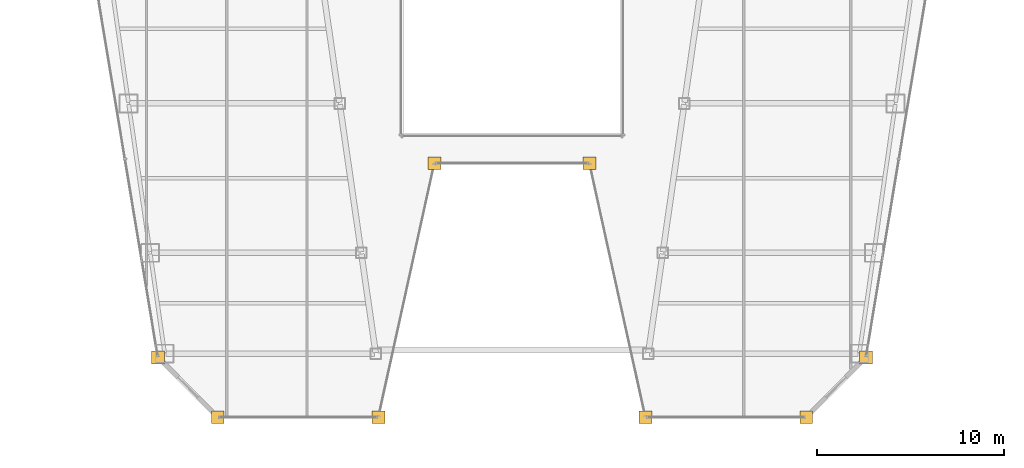
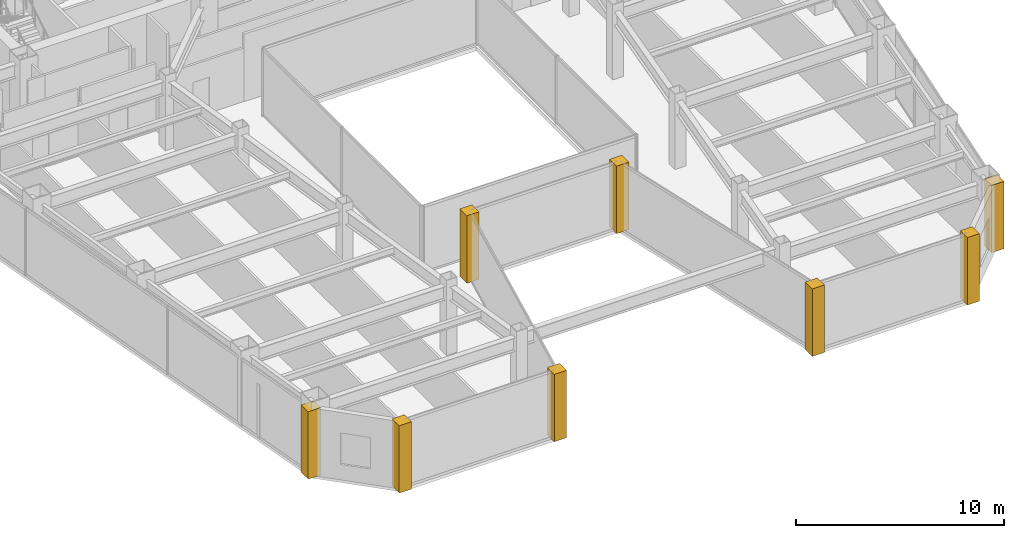
# One storey, part 34 of 36: 8 coverings.
"""IFC4 building model written with IfcOpenShell, lengths in metres."""

from ifc_helpers import new_model, si_unit, direction, frame, origin, place, context, subcontext, project, spatial, polyline, outline, extrude, material, layer, layer_set, type_object, element, save


model = new_model("IFC4")

# Units and contexts
model_context = context("Model", 3, precision=1e-05, world=origin(), true_north=direction((0.0, 1.0)))
body_context = subcontext(model_context, "Body", "Model", "MODEL_VIEW")
ifc_project = project(units=[si_unit("LENGTHUNIT", "METRE"), si_unit("AREAUNIT", "SQUARE_METRE"), si_unit("VOLUMEUNIT", "CUBIC_METRE"), si_unit("PLANEANGLEUNIT", "RADIAN"), si_unit("MASSUNIT", "GRAM", prefix="KILO")], contexts=[model_context])

# Site, building, storey
site_placement = place(None, origin())
site = spatial("IfcSite", under=ifc_project, at=site_placement, CompositionType="ELEMENT")
building_placement = place(site_placement, origin())
building = spatial("IfcBuilding", under=site, at=building_placement, Name="Saevonmaru Cultural Tower", CompositionType="ELEMENT")
storey_placement = place(building_placement, frame((0.0, 0.0, 119.199951171875)))
storey = spatial("IfcBuildingStorey", under=building, at=storey_placement, Name="L25", CompositionType="ELEMENT", Elevation=119.199951171875)

# Coverings
ifc_material = material(Name="Satin Bronze Anodised Aluminium", Category="aluminium")
ifc_layer = layer(ifc_material, 0.679931640625, Name="Satin Bronze Anodised Aluminium")
ifc_layer_set = layer_set([ifc_layer], Name="Satin Bronze Anodised Aluminium")
covering_type = type_object("IfcCoveringType", Name="CV-CORNER-CLAD", PredefinedType="CLADDING", material=ifc_layer_set)
covering_1_placement = place(storey_placement, origin())
element("IfcCovering", 1, at=covering_1_placement, inside=storey, type_object=covering_type, Name="L25 Tower Bronze Corner Cladding Pier 1", PredefinedType="CLADDING", context=body_context, shape_type="SweptSolid", body=[
    extrude(outline(polyline([(10.708984375, 10.06005859375), (11.388916015625, 10.06005859375), (11.388916015625, 10.739990234375), (10.708984375, 10.739990234375), (10.708984375, 10.06005859375)])), origin(), (0.0, 0.0, 1.0), 3.949951171875),
])
covering_2_placement = place(storey_placement, origin())
element("IfcCovering", 2, at=covering_2_placement, inside=storey, type_object=covering_type, Name="L25 Tower Bronze Corner Cladding Pier 2", PredefinedType="CLADDING", context=body_context, shape_type="SweptSolid", body=[
    extrude(outline(polyline([(13.908935546875, 6.860107421875), (14.589111328125, 6.860107421875), (14.589111328125, 7.5400390625), (13.908935546875, 7.5400390625), (13.908935546875, 6.860107421875)])), origin(), (0.0, 0.0, 1.0), 3.949951171875),
])
covering_3_placement = place(storey_placement, origin())
element("IfcCovering", 3, at=covering_3_placement, inside=storey, type_object=covering_type, Name="L25 Tower Bronze Corner Cladding Pier 3", PredefinedType="CLADDING", context=body_context, shape_type="SweptSolid", body=[
    extrude(outline(polyline([(22.509033203125, 6.860107421875), (23.18896484375, 6.860107421875), (23.18896484375, 7.5400390625), (22.509033203125, 7.5400390625), (22.509033203125, 6.860107421875)])), origin(), (0.0, 0.0, 1.0), 3.949951171875),
])
covering_4_placement = place(storey_placement, origin())
element("IfcCovering", 4, at=covering_4_placement, inside=storey, type_object=covering_type, Name="L25 Tower Bronze Corner Cladding Pier 4", PredefinedType="CLADDING", context=body_context, shape_type="SweptSolid", body=[
    extrude(outline(polyline([(25.509033203125, 20.4599609375), (26.18896484375, 20.4599609375), (26.18896484375, 21.139892578125), (25.509033203125, 21.139892578125), (25.509033203125, 20.4599609375)])), origin(), (0.0, 0.0, 1.0), 3.949951171875),
])
covering_5_placement = place(storey_placement, origin())
element("IfcCovering", 5, at=covering_5_placement, inside=storey, type_object=covering_type, Name="L25 Tower Bronze Corner Cladding Pier 5", PredefinedType="CLADDING", context=body_context, shape_type="SweptSolid", body=[
    extrude(outline(polyline([(33.81103515625, 20.4599609375), (34.490966796875, 20.4599609375), (34.490966796875, 21.139892578125), (33.81103515625, 21.139892578125), (33.81103515625, 20.4599609375)])), origin(), (0.0, 0.0, 1.0), 3.949951171875),
])
covering_6_placement = place(storey_placement, origin())
element("IfcCovering", 6, at=covering_6_placement, inside=storey, type_object=covering_type, Name="L25 Tower Bronze Corner Cladding Pier 6", PredefinedType="CLADDING", context=body_context, shape_type="SweptSolid", body=[
    extrude(outline(polyline([(36.81103515625, 6.860107421875), (37.490966796875, 6.860107421875), (37.490966796875, 7.5400390625), (36.81103515625, 7.5400390625), (36.81103515625, 6.860107421875)])), origin(), (0.0, 0.0, 1.0), 3.949951171875),
])
covering_7_placement = place(storey_placement, origin())
element("IfcCovering", 7, at=covering_7_placement, inside=storey, type_object=covering_type, Name="L25 Tower Bronze Corner Cladding Pier 7", PredefinedType="CLADDING", context=body_context, shape_type="SweptSolid", body=[
    extrude(outline(polyline([(45.410888671875, 6.860107421875), (46.091064453125, 6.860107421875), (46.091064453125, 7.5400390625), (45.410888671875, 7.5400390625), (45.410888671875, 6.860107421875)])), origin(), (0.0, 0.0, 1.0), 3.949951171875),
])
covering_8_placement = place(storey_placement, origin())
element("IfcCovering", 8, at=covering_8_placement, inside=storey, type_object=covering_type, Name="L25 Tower Bronze Corner Cladding Pier 8", PredefinedType="CLADDING", context=body_context, shape_type="SweptSolid", body=[
    extrude(outline(polyline([(48.611083984375, 10.06005859375), (49.291015625, 10.06005859375), (49.291015625, 10.739990234375), (48.611083984375, 10.739990234375), (48.611083984375, 10.06005859375)])), origin(), (0.0, 0.0, 1.0), 3.949951171875),
])

save(model, "model.ifc")
